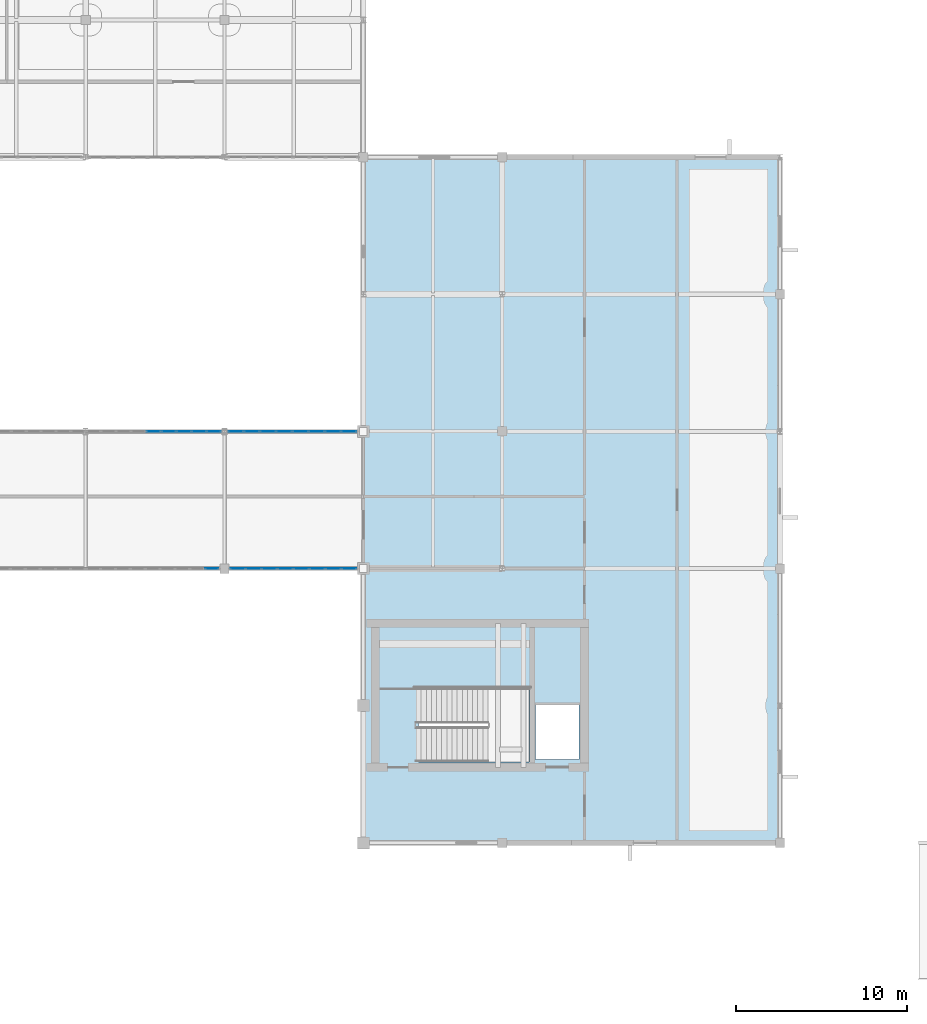
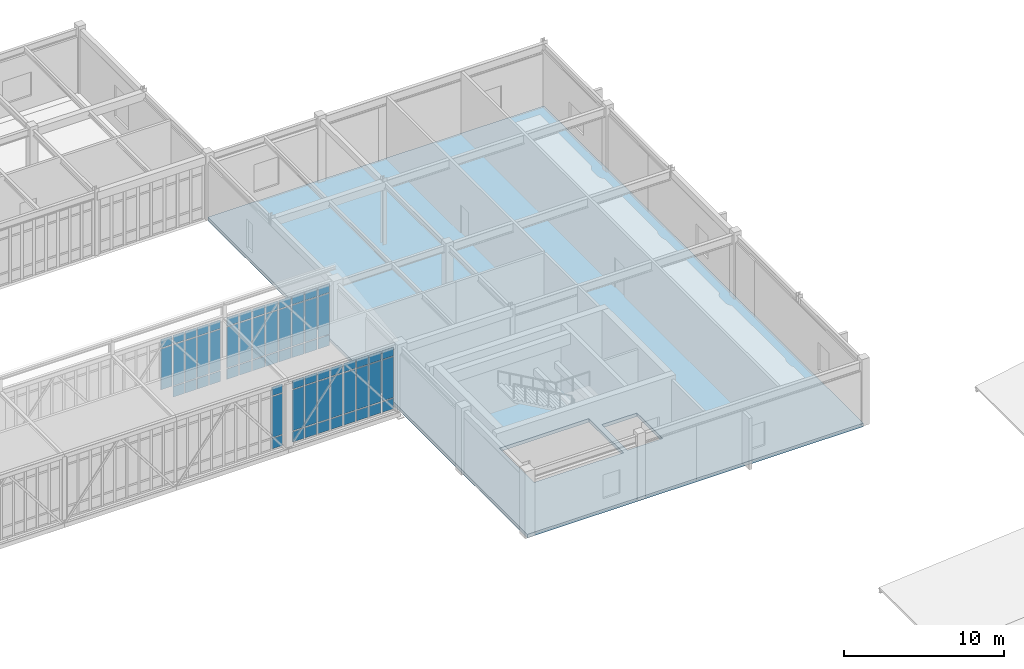
# One storey, part 78 of 107: 65 plates, 1 slab, 4 elements without a shape of their own.
"""IFC4 building model written with IfcOpenShell, lengths in metres."""

from ifc_helpers import new_model, si_unit, direction, frame, origin, origin_2d, place, context, subcontext, project, spatial, polyline, rectangle, outline, extrude, material, layer, layer_set, type_object, element, aggregate, save


model = new_model("IFC4")

# Units and contexts
model_context = context("Model", 3, precision=1e-05, world=origin(), true_north=direction((0.0, 1.0)))
body_context = subcontext(model_context, "Body", "Model", "MODEL_VIEW")
ifc_project = project(units=[si_unit("LENGTHUNIT", "METRE"), si_unit("AREAUNIT", "SQUARE_METRE"), si_unit("VOLUMEUNIT", "CUBIC_METRE"), si_unit("PLANEANGLEUNIT", "RADIAN"), si_unit("MASSUNIT", "GRAM", prefix="KILO")], contexts=[model_context])

# Site, building, storey
site_placement = place(None, origin())
site = spatial("IfcSite", under=ifc_project, at=site_placement, CompositionType="ELEMENT")
building_placement = place(site_placement, origin())
building = spatial("IfcBuilding", under=site, at=building_placement, Name="Tarnveldt Square Police Headquarters", CompositionType="ELEMENT")
storey_placement = place(building_placement, frame((0.0, 0.0, 14.699951171875)))
storey = spatial("IfcBuildingStorey", under=building, at=storey_placement, Name="L03", CompositionType="ELEMENT", Elevation=14.699951171875)

# Curtain wall, plates
ifc_material_1 = material(Name="Triple-glazed low-e laminated vision glass", Category="glass")
curtain_wall_type_1 = type_object("IfcCurtainWallType", Name="CW-SB-781x484", PredefinedType="USERDEFINED", material=ifc_material_1)
curtain_wall_1_placement = place(storey_placement, origin())
curtain_wall_1 = element("IfcCurtainWall", 1, at=curtain_wall_1_placement, inside=storey, type_object=curtain_wall_type_1, Name="L03 Curtain Wall CW-L03-157", ObjectType="GLAZED CURTAIN WALL", PredefinedType="USERDEFINED")
ifc_layer_1 = layer(ifc_material_1, 0.028076171875)
ifc_layer_set_1 = layer_set([ifc_layer_1], Name="Triple-glazed low-e laminated vision glass")
plate_type = type_object("IfcPlateType", Name="CWP-VIS-28", PredefinedType="CURTAIN_PANEL", material=ifc_layer_set_1)
plate_1_placement = place(storey_placement, frame((96.4599609375, 72.0, 0.06494140625), z_axis=(0.0, 0.0, 1.0), x_axis=(1.0, 0.0, 0.0)))
plate_1 = element("IfcPlate", 2, at=plate_1_placement, type_object=plate_type, Name="CW-SB92 panel 9.1", PredefinedType="CURTAIN_PANEL", context=body_context, shape_type="SweptSolid", body=[
    extrude(rectangle(XDim=0.770263671875, YDim=0.028076171875, at=origin_2d()), origin(), (0.0, 0.0, 1.0), 0.802490234375),
])
plate_2_placement = place(storey_placement, frame((96.4599609375, 72.0, 0.9326171875), z_axis=(0.0, 0.0, 1.0), x_axis=(1.0, 0.0, 0.0)))
plate_2 = element("IfcPlate", 3, at=plate_2_placement, type_object=plate_type, Name="CW-SB92 panel 9.2", PredefinedType="CURTAIN_PANEL", context=body_context, shape_type="SweptSolid", body=[
    extrude(rectangle(XDim=0.770263671875, YDim=0.028076171875, at=origin_2d()), origin(), (0.0, 0.0, 1.0), 3.125),
])
plate_3_placement = place(storey_placement, frame((96.4599609375, 72.0, 4.12255859375), z_axis=(0.0, 0.0, 1.0), x_axis=(1.0, 0.0, 0.0)))
plate_3 = element("IfcPlate", 4, at=plate_3_placement, type_object=plate_type, Name="CW-SB92 panel 9.3", PredefinedType="CURTAIN_PANEL", context=body_context, shape_type="SweptSolid", body=[
    extrude(rectangle(XDim=0.770263671875, YDim=0.028076171875, at=origin_2d()), origin(), (0.0, 0.0, 1.0), 0.652587890625),
])
aggregate(curtain_wall_1, [plate_1, plate_2, plate_3])

curtain_wall_type_2 = type_object("IfcCurtainWallType", Name="CW-SB-745x484", PredefinedType="USERDEFINED", material=ifc_material_1)
curtain_wall_2_placement = place(storey_placement, origin())
curtain_wall_2 = element("IfcCurtainWall", 5, at=curtain_wall_2_placement, inside=storey, type_object=curtain_wall_type_2, Name="L03 Curtain Wall CW-L03-158", ObjectType="GLAZED CURTAIN WALL", PredefinedType="USERDEFINED")
plate_4_placement = place(storey_placement, frame((97.9716796875, 72.0, 0.06494140625), z_axis=(0.0, 0.0, 1.0), x_axis=(1.0, 0.0, 0.0)))
plate_4 = element("IfcPlate", 6, at=plate_4_placement, type_object=plate_type, Name="CW-SB93 panel 1.1", PredefinedType="CURTAIN_PANEL", context=body_context, shape_type="SweptSolid", body=[
    extrude(rectangle(XDim=0.8330078125, YDim=0.028076171875, at=origin_2d()), origin(), (0.0, 0.0, 1.0), 0.802490234375),
])
plate_5_placement = place(storey_placement, frame((97.9716796875, 72.0, 0.9326171875), z_axis=(0.0, 0.0, 1.0), x_axis=(1.0, 0.0, 0.0)))
plate_5 = element("IfcPlate", 7, at=plate_5_placement, type_object=plate_type, Name="CW-SB93 panel 1.2", PredefinedType="CURTAIN_PANEL", context=body_context, shape_type="SweptSolid", body=[
    extrude(rectangle(XDim=0.8330078125, YDim=0.028076171875, at=origin_2d()), origin(), (0.0, 0.0, 1.0), 3.125),
])
plate_6_placement = place(storey_placement, frame((97.9716796875, 72.0, 4.12255859375), z_axis=(0.0, 0.0, 1.0), x_axis=(1.0, 0.0, 0.0)))
plate_6 = element("IfcPlate", 8, at=plate_6_placement, type_object=plate_type, Name="CW-SB93 panel 1.3", PredefinedType="CURTAIN_PANEL", context=body_context, shape_type="SweptSolid", body=[
    extrude(rectangle(XDim=0.8330078125, YDim=0.028076171875, at=origin_2d()), origin(), (0.0, 0.0, 1.0), 0.652587890625),
])
plate_7_placement = place(storey_placement, frame((98.885986328125, 72.0, 0.06494140625), z_axis=(0.0, 0.0, 1.0), x_axis=(1.0, 0.0, 0.0)))
plate_7 = element("IfcPlate", 9, at=plate_7_placement, type_object=plate_type, Name="CW-SB93 panel 2.1", PredefinedType="CURTAIN_PANEL", context=body_context, shape_type="SweptSolid", body=[
    extrude(rectangle(XDim=0.86572265625, YDim=0.028076171875, at=origin_2d()), origin(), (0.0, 0.0, 1.0), 0.802490234375),
])
plate_8_placement = place(storey_placement, frame((98.885986328125, 72.0, 0.9326171875), z_axis=(0.0, 0.0, 1.0), x_axis=(1.0, 0.0, 0.0)))
plate_8 = element("IfcPlate", 10, at=plate_8_placement, type_object=plate_type, Name="CW-SB93 panel 2.2", PredefinedType="CURTAIN_PANEL", context=body_context, shape_type="SweptSolid", body=[
    extrude(rectangle(XDim=0.86572265625, YDim=0.028076171875, at=origin_2d()), origin(), (0.0, 0.0, 1.0), 3.125),
])
plate_9_placement = place(storey_placement, frame((98.885986328125, 72.0, 4.12255859375), z_axis=(0.0, 0.0, 1.0), x_axis=(1.0, 0.0, 0.0)))
plate_9 = element("IfcPlate", 11, at=plate_9_placement, type_object=plate_type, Name="CW-SB93 panel 2.3", PredefinedType="CURTAIN_PANEL", context=body_context, shape_type="SweptSolid", body=[
    extrude(rectangle(XDim=0.86572265625, YDim=0.028076171875, at=origin_2d()), origin(), (0.0, 0.0, 1.0), 0.652587890625),
])
plate_10_placement = place(storey_placement, frame((99.816650390625, 72.0, 0.06494140625), z_axis=(0.0, 0.0, 1.0), x_axis=(1.0, 0.0, 0.0)))
plate_10 = element("IfcPlate", 12, at=plate_10_placement, type_object=plate_type, Name="CW-SB93 panel 3.1", PredefinedType="CURTAIN_PANEL", context=body_context, shape_type="SweptSolid", body=[
    extrude(rectangle(XDim=0.86572265625, YDim=0.028076171875, at=origin_2d()), origin(), (0.0, 0.0, 1.0), 0.802490234375),
])
plate_11_placement = place(storey_placement, frame((99.816650390625, 72.0, 0.9326171875), z_axis=(0.0, 0.0, 1.0), x_axis=(1.0, 0.0, 0.0)))
plate_11 = element("IfcPlate", 13, at=plate_11_placement, type_object=plate_type, Name="CW-SB93 panel 3.2", PredefinedType="CURTAIN_PANEL", context=body_context, shape_type="SweptSolid", body=[
    extrude(rectangle(XDim=0.86572265625, YDim=0.028076171875, at=origin_2d()), origin(), (0.0, 0.0, 1.0), 3.125),
])
plate_12_placement = place(storey_placement, frame((99.816650390625, 72.0, 4.12255859375), z_axis=(0.0, 0.0, 1.0), x_axis=(1.0, 0.0, 0.0)))
plate_12 = element("IfcPlate", 14, at=plate_12_placement, type_object=plate_type, Name="CW-SB93 panel 3.3", PredefinedType="CURTAIN_PANEL", context=body_context, shape_type="SweptSolid", body=[
    extrude(rectangle(XDim=0.86572265625, YDim=0.028076171875, at=origin_2d()), origin(), (0.0, 0.0, 1.0), 0.652587890625),
])
plate_13_placement = place(storey_placement, frame((100.7470703125, 72.0, 0.06494140625), z_axis=(0.0, 0.0, 1.0), x_axis=(1.0, 0.0, 0.0)))
plate_13 = element("IfcPlate", 15, at=plate_13_placement, type_object=plate_type, Name="CW-SB93 panel 4.1", PredefinedType="CURTAIN_PANEL", context=body_context, shape_type="SweptSolid", body=[
    extrude(rectangle(XDim=0.86572265625, YDim=0.028076171875, at=origin_2d()), origin(), (0.0, 0.0, 1.0), 0.802490234375),
])
plate_14_placement = place(storey_placement, frame((100.7470703125, 72.0, 0.9326171875), z_axis=(0.0, 0.0, 1.0), x_axis=(1.0, 0.0, 0.0)))
plate_14 = element("IfcPlate", 16, at=plate_14_placement, type_object=plate_type, Name="CW-SB93 panel 4.2", PredefinedType="CURTAIN_PANEL", context=body_context, shape_type="SweptSolid", body=[
    extrude(rectangle(XDim=0.86572265625, YDim=0.028076171875, at=origin_2d()), origin(), (0.0, 0.0, 1.0), 3.125),
])
plate_15_placement = place(storey_placement, frame((100.7470703125, 72.0, 4.12255859375), z_axis=(0.0, 0.0, 1.0), x_axis=(1.0, 0.0, 0.0)))
plate_15 = element("IfcPlate", 17, at=plate_15_placement, type_object=plate_type, Name="CW-SB93 panel 4.3", PredefinedType="CURTAIN_PANEL", context=body_context, shape_type="SweptSolid", body=[
    extrude(rectangle(XDim=0.86572265625, YDim=0.028076171875, at=origin_2d()), origin(), (0.0, 0.0, 1.0), 0.652587890625),
])
plate_16_placement = place(storey_placement, frame((101.677734375, 72.0, 0.06494140625), z_axis=(0.0, 0.0, 1.0), x_axis=(1.0, 0.0, 0.0)))
plate_16 = element("IfcPlate", 18, at=plate_16_placement, type_object=plate_type, Name="CW-SB93 panel 5.1", PredefinedType="CURTAIN_PANEL", context=body_context, shape_type="SweptSolid", body=[
    extrude(rectangle(XDim=0.86572265625, YDim=0.028076171875, at=origin_2d()), origin(), (0.0, 0.0, 1.0), 0.802490234375),
])
plate_17_placement = place(storey_placement, frame((101.677734375, 72.0, 0.9326171875), z_axis=(0.0, 0.0, 1.0), x_axis=(1.0, 0.0, 0.0)))
plate_17 = element("IfcPlate", 19, at=plate_17_placement, type_object=plate_type, Name="CW-SB93 panel 5.2", PredefinedType="CURTAIN_PANEL", context=body_context, shape_type="SweptSolid", body=[
    extrude(rectangle(XDim=0.86572265625, YDim=0.028076171875, at=origin_2d()), origin(), (0.0, 0.0, 1.0), 3.125),
])
plate_18_placement = place(storey_placement, frame((101.677734375, 72.0, 4.12255859375), z_axis=(0.0, 0.0, 1.0), x_axis=(1.0, 0.0, 0.0)))
plate_18 = element("IfcPlate", 20, at=plate_18_placement, type_object=plate_type, Name="CW-SB93 panel 5.3", PredefinedType="CURTAIN_PANEL", context=body_context, shape_type="SweptSolid", body=[
    extrude(rectangle(XDim=0.86572265625, YDim=0.028076171875, at=origin_2d()), origin(), (0.0, 0.0, 1.0), 0.652587890625),
])
plate_19_placement = place(storey_placement, frame((102.6083984375, 72.0, 0.06494140625), z_axis=(0.0, 0.0, 1.0), x_axis=(1.0, 0.0, 0.0)))
plate_19 = element("IfcPlate", 21, at=plate_19_placement, type_object=plate_type, Name="CW-SB93 panel 6.1", PredefinedType="CURTAIN_PANEL", context=body_context, shape_type="SweptSolid", body=[
    extrude(rectangle(XDim=0.86572265625, YDim=0.028076171875, at=origin_2d()), origin(), (0.0, 0.0, 1.0), 0.802490234375),
])
plate_20_placement = place(storey_placement, frame((102.6083984375, 72.0, 0.9326171875), z_axis=(0.0, 0.0, 1.0), x_axis=(1.0, 0.0, 0.0)))
plate_20 = element("IfcPlate", 22, at=plate_20_placement, type_object=plate_type, Name="CW-SB93 panel 6.2", PredefinedType="CURTAIN_PANEL", context=body_context, shape_type="SweptSolid", body=[
    extrude(rectangle(XDim=0.86572265625, YDim=0.028076171875, at=origin_2d()), origin(), (0.0, 0.0, 1.0), 3.125),
])
plate_21_placement = place(storey_placement, frame((102.6083984375, 72.0, 4.12255859375), z_axis=(0.0, 0.0, 1.0), x_axis=(1.0, 0.0, 0.0)))
plate_21 = element("IfcPlate", 23, at=plate_21_placement, type_object=plate_type, Name="CW-SB93 panel 6.3", PredefinedType="CURTAIN_PANEL", context=body_context, shape_type="SweptSolid", body=[
    extrude(rectangle(XDim=0.86572265625, YDim=0.028076171875, at=origin_2d()), origin(), (0.0, 0.0, 1.0), 0.652587890625),
])
plate_22_placement = place(storey_placement, frame((103.5390625, 72.0, 0.06494140625), z_axis=(0.0, 0.0, 1.0), x_axis=(1.0, 0.0, 0.0)))
plate_22 = element("IfcPlate", 24, at=plate_22_placement, type_object=plate_type, Name="CW-SB93 panel 7.1", PredefinedType="CURTAIN_PANEL", context=body_context, shape_type="SweptSolid", body=[
    extrude(rectangle(XDim=0.86572265625, YDim=0.028076171875, at=origin_2d()), origin(), (0.0, 0.0, 1.0), 0.802490234375),
])
plate_23_placement = place(storey_placement, frame((103.5390625, 72.0, 0.9326171875), z_axis=(0.0, 0.0, 1.0), x_axis=(1.0, 0.0, 0.0)))
plate_23 = element("IfcPlate", 25, at=plate_23_placement, type_object=plate_type, Name="CW-SB93 panel 7.2", PredefinedType="CURTAIN_PANEL", context=body_context, shape_type="SweptSolid", body=[
    extrude(rectangle(XDim=0.86572265625, YDim=0.028076171875, at=origin_2d()), origin(), (0.0, 0.0, 1.0), 3.125),
])
plate_24_placement = place(storey_placement, frame((103.5390625, 72.0, 4.12255859375), z_axis=(0.0, 0.0, 1.0), x_axis=(1.0, 0.0, 0.0)))
plate_24 = element("IfcPlate", 26, at=plate_24_placement, type_object=plate_type, Name="CW-SB93 panel 7.3", PredefinedType="CURTAIN_PANEL", context=body_context, shape_type="SweptSolid", body=[
    extrude(rectangle(XDim=0.86572265625, YDim=0.028076171875, at=origin_2d()), origin(), (0.0, 0.0, 1.0), 0.652587890625),
])
plate_25_placement = place(storey_placement, frame((104.453369140625, 72.0, 0.06494140625), z_axis=(0.0, 0.0, 1.0), x_axis=(1.0, 0.0, 0.0)))
plate_25 = element("IfcPlate", 27, at=plate_25_placement, type_object=plate_type, Name="CW-SB93 panel 8.1", PredefinedType="CURTAIN_PANEL", context=body_context, shape_type="SweptSolid", body=[
    extrude(rectangle(XDim=0.8330078125, YDim=0.028076171875, at=origin_2d()), origin(), (0.0, 0.0, 1.0), 0.802490234375),
])
plate_26_placement = place(storey_placement, frame((104.453369140625, 72.0, 0.9326171875), z_axis=(0.0, 0.0, 1.0), x_axis=(1.0, 0.0, 0.0)))
plate_26 = element("IfcPlate", 28, at=plate_26_placement, type_object=plate_type, Name="CW-SB93 panel 8.2", PredefinedType="CURTAIN_PANEL", context=body_context, shape_type="SweptSolid", body=[
    extrude(rectangle(XDim=0.8330078125, YDim=0.028076171875, at=origin_2d()), origin(), (0.0, 0.0, 1.0), 3.125),
])
plate_27_placement = place(storey_placement, frame((104.453369140625, 72.0, 4.12255859375), z_axis=(0.0, 0.0, 1.0), x_axis=(1.0, 0.0, 0.0)))
plate_27 = element("IfcPlate", 29, at=plate_27_placement, type_object=plate_type, Name="CW-SB93 panel 8.3", PredefinedType="CURTAIN_PANEL", context=body_context, shape_type="SweptSolid", body=[
    extrude(rectangle(XDim=0.8330078125, YDim=0.028076171875, at=origin_2d()), origin(), (0.0, 0.0, 1.0), 0.652587890625),
])
aggregate(curtain_wall_2, [plate_4, plate_5, plate_6, plate_7, plate_8, plate_9, plate_10, plate_11, plate_12, plate_13, plate_14, plate_15, plate_16, plate_17, plate_18, plate_19, plate_20, plate_21, plate_22, plate_23, plate_24, plate_25, plate_26, plate_27])

curtain_wall_type_3 = type_object("IfcCurtainWallType", Name="CW-SB-793x484", PredefinedType="USERDEFINED", material=ifc_material_1)
curtain_wall_3_placement = place(storey_placement, origin())
curtain_wall_3 = element("IfcCurtainWall", 30, at=curtain_wall_3_placement, inside=storey, type_object=curtain_wall_type_3, Name="L03 Curtain Wall CW-L03-164", ObjectType="GLAZED CURTAIN WALL", PredefinedType="USERDEFINED")
plate_28_placement = place(storey_placement, frame((93.0654296875, 80.0, 0.9326171875), z_axis=(0.0, 0.0, 1.0), x_axis=(1.0, 0.0, 0.0)))
plate_28 = element("IfcPlate", 31, at=plate_28_placement, type_object=plate_type, Name="CW-SB91 panel 5.2", PredefinedType="CURTAIN_PANEL", context=body_context, shape_type="SweptSolid", body=[
    extrude(rectangle(XDim=0.816162109375, YDim=0.028076171875, at=origin_2d()), origin(), (0.0, 0.0, 1.0), 3.125),
])
plate_29_placement = place(storey_placement, frame((93.0654296875, 80.0, 4.12255859375), z_axis=(0.0, 0.0, 1.0), x_axis=(1.0, 0.0, 0.0)))
plate_29 = element("IfcPlate", 32, at=plate_29_placement, type_object=plate_type, Name="CW-SB91 panel 5.3", PredefinedType="CURTAIN_PANEL", context=body_context, shape_type="SweptSolid", body=[
    extrude(rectangle(XDim=0.816162109375, YDim=0.028076171875, at=origin_2d()), origin(), (0.0, 0.0, 1.0), 0.652587890625),
])
plate_30_placement = place(storey_placement, frame((93.94677734375, 80.0, 0.06494140625), z_axis=(0.0, 0.0, 1.0), x_axis=(1.0, 0.0, 0.0)))
plate_30 = element("IfcPlate", 33, at=plate_30_placement, type_object=plate_type, Name="CW-SB91 panel 6.1", PredefinedType="CURTAIN_PANEL", context=body_context, shape_type="SweptSolid", body=[
    extrude(rectangle(XDim=0.816162109375, YDim=0.028076171875, at=origin_2d()), origin(), (0.0, 0.0, 1.0), 0.802490234375),
])
plate_31_placement = place(storey_placement, frame((93.94677734375, 80.0, 0.9326171875), z_axis=(0.0, 0.0, 1.0), x_axis=(1.0, 0.0, 0.0)))
plate_31 = element("IfcPlate", 34, at=plate_31_placement, type_object=plate_type, Name="CW-SB91 panel 6.2", PredefinedType="CURTAIN_PANEL", context=body_context, shape_type="SweptSolid", body=[
    extrude(rectangle(XDim=0.816162109375, YDim=0.028076171875, at=origin_2d()), origin(), (0.0, 0.0, 1.0), 3.125),
])
plate_32_placement = place(storey_placement, frame((93.94677734375, 80.0, 4.12255859375), z_axis=(0.0, 0.0, 1.0), x_axis=(1.0, 0.0, 0.0)))
plate_32 = element("IfcPlate", 35, at=plate_32_placement, type_object=plate_type, Name="CW-SB91 panel 6.3", PredefinedType="CURTAIN_PANEL", context=body_context, shape_type="SweptSolid", body=[
    extrude(rectangle(XDim=0.816162109375, YDim=0.028076171875, at=origin_2d()), origin(), (0.0, 0.0, 1.0), 0.652587890625),
])
plate_33_placement = place(storey_placement, frame((94.827880859375, 80.0, 0.06494140625), z_axis=(0.0, 0.0, 1.0), x_axis=(1.0, 0.0, 0.0)))
plate_33 = element("IfcPlate", 36, at=plate_33_placement, type_object=plate_type, Name="CW-SB91 panel 7.1", PredefinedType="CURTAIN_PANEL", context=body_context, shape_type="SweptSolid", body=[
    extrude(rectangle(XDim=0.816162109375, YDim=0.028076171875, at=origin_2d()), origin(), (0.0, 0.0, 1.0), 0.802490234375),
])
plate_34_placement = place(storey_placement, frame((94.827880859375, 80.0, 0.9326171875), z_axis=(0.0, 0.0, 1.0), x_axis=(1.0, 0.0, 0.0)))
plate_34 = element("IfcPlate", 37, at=plate_34_placement, type_object=plate_type, Name="CW-SB91 panel 7.2", PredefinedType="CURTAIN_PANEL", context=body_context, shape_type="SweptSolid", body=[
    extrude(rectangle(XDim=0.816162109375, YDim=0.028076171875, at=origin_2d()), origin(), (0.0, 0.0, 1.0), 3.125),
])
plate_35_placement = place(storey_placement, frame((94.827880859375, 80.0, 4.12255859375), z_axis=(0.0, 0.0, 1.0), x_axis=(1.0, 0.0, 0.0)))
plate_35 = element("IfcPlate", 38, at=plate_35_placement, type_object=plate_type, Name="CW-SB91 panel 7.3", PredefinedType="CURTAIN_PANEL", context=body_context, shape_type="SweptSolid", body=[
    extrude(rectangle(XDim=0.816162109375, YDim=0.028076171875, at=origin_2d()), origin(), (0.0, 0.0, 1.0), 0.652587890625),
])
plate_36_placement = place(storey_placement, frame((95.709228515625, 80.0, 0.06494140625), z_axis=(0.0, 0.0, 1.0), x_axis=(1.0, 0.0, 0.0)))
plate_36 = element("IfcPlate", 39, at=plate_36_placement, type_object=plate_type, Name="CW-SB91 panel 8.1", PredefinedType="CURTAIN_PANEL", context=body_context, shape_type="SweptSolid", body=[
    extrude(rectangle(XDim=0.816162109375, YDim=0.028076171875, at=origin_2d()), origin(), (0.0, 0.0, 1.0), 0.802490234375),
])
plate_37_placement = place(storey_placement, frame((95.709228515625, 80.0, 0.9326171875), z_axis=(0.0, 0.0, 1.0), x_axis=(1.0, 0.0, 0.0)))
plate_37 = element("IfcPlate", 40, at=plate_37_placement, type_object=plate_type, Name="CW-SB91 panel 8.2", PredefinedType="CURTAIN_PANEL", context=body_context, shape_type="SweptSolid", body=[
    extrude(rectangle(XDim=0.816162109375, YDim=0.028076171875, at=origin_2d()), origin(), (0.0, 0.0, 1.0), 3.125),
])
plate_38_placement = place(storey_placement, frame((95.709228515625, 80.0, 4.12255859375), z_axis=(0.0, 0.0, 1.0), x_axis=(1.0, 0.0, 0.0)))
plate_38 = element("IfcPlate", 41, at=plate_38_placement, type_object=plate_type, Name="CW-SB91 panel 8.3", PredefinedType="CURTAIN_PANEL", context=body_context, shape_type="SweptSolid", body=[
    extrude(rectangle(XDim=0.816162109375, YDim=0.028076171875, at=origin_2d()), origin(), (0.0, 0.0, 1.0), 0.652587890625),
])
plate_39_placement = place(storey_placement, frame((96.57421875, 80.0, 0.06494140625), z_axis=(0.0, 0.0, 1.0), x_axis=(1.0, 0.0, 0.0)))
plate_39 = element("IfcPlate", 42, at=plate_39_placement, type_object=plate_type, Name="CW-SB91 panel 9.1", PredefinedType="CURTAIN_PANEL", context=body_context, shape_type="SweptSolid", body=[
    extrude(rectangle(XDim=0.78369140625, YDim=0.028076171875, at=origin_2d()), origin(), (0.0, 0.0, 1.0), 0.802490234375),
])
plate_40_placement = place(storey_placement, frame((96.57421875, 80.0, 0.9326171875), z_axis=(0.0, 0.0, 1.0), x_axis=(1.0, 0.0, 0.0)))
plate_40 = element("IfcPlate", 43, at=plate_40_placement, type_object=plate_type, Name="CW-SB91 panel 9.2", PredefinedType="CURTAIN_PANEL", context=body_context, shape_type="SweptSolid", body=[
    extrude(rectangle(XDim=0.78369140625, YDim=0.028076171875, at=origin_2d()), origin(), (0.0, 0.0, 1.0), 3.125),
])
plate_41_placement = place(storey_placement, frame((96.57421875, 80.0, 4.12255859375), z_axis=(0.0, 0.0, 1.0), x_axis=(1.0, 0.0, 0.0)))
plate_41 = element("IfcPlate", 44, at=plate_41_placement, type_object=plate_type, Name="CW-SB91 panel 9.3", PredefinedType="CURTAIN_PANEL", context=body_context, shape_type="SweptSolid", body=[
    extrude(rectangle(XDim=0.78369140625, YDim=0.028076171875, at=origin_2d()), origin(), (0.0, 0.0, 1.0), 0.652587890625),
])
aggregate(curtain_wall_3, [plate_28, plate_29, plate_30, plate_31, plate_32, plate_33, plate_34, plate_35, plate_36, plate_37, plate_38, plate_39, plate_40, plate_41])

curtain_wall_type_4 = type_object("IfcCurtainWallType", Name="CW-SB-757x484", PredefinedType="USERDEFINED", material=ifc_material_1)
curtain_wall_4_placement = place(storey_placement, origin())
curtain_wall_4 = element("IfcCurtainWall", 45, at=curtain_wall_4_placement, inside=storey, type_object=curtain_wall_type_4, Name="L03 Curtain Wall CW-L03-165", ObjectType="GLAZED CURTAIN WALL", PredefinedType="USERDEFINED")
plate_42_placement = place(storey_placement, frame((97.858154296875, 80.0, 0.06494140625), z_axis=(0.0, 0.0, 1.0), x_axis=(1.0, 0.0, 0.0)))
plate_42 = element("IfcPlate", 46, at=plate_42_placement, type_object=plate_type, Name="CW-SB89 panel 1.1", PredefinedType="CURTAIN_PANEL", context=body_context, shape_type="SweptSolid", body=[
    extrude(rectangle(XDim=0.84814453125, YDim=0.028076171875, at=origin_2d()), origin(), (0.0, 0.0, 1.0), 0.802490234375),
])
plate_43_placement = place(storey_placement, frame((97.858154296875, 80.0, 0.9326171875), z_axis=(0.0, 0.0, 1.0), x_axis=(1.0, 0.0, 0.0)))
plate_43 = element("IfcPlate", 47, at=plate_43_placement, type_object=plate_type, Name="CW-SB89 panel 1.2", PredefinedType="CURTAIN_PANEL", context=body_context, shape_type="SweptSolid", body=[
    extrude(rectangle(XDim=0.84814453125, YDim=0.028076171875, at=origin_2d()), origin(), (0.0, 0.0, 1.0), 3.125),
])
plate_44_placement = place(storey_placement, frame((97.858154296875, 80.0, 4.12255859375), z_axis=(0.0, 0.0, 1.0), x_axis=(1.0, 0.0, 0.0)))
plate_44 = element("IfcPlate", 48, at=plate_44_placement, type_object=plate_type, Name="CW-SB89 panel 1.3", PredefinedType="CURTAIN_PANEL", context=body_context, shape_type="SweptSolid", body=[
    extrude(rectangle(XDim=0.84814453125, YDim=0.028076171875, at=origin_2d()), origin(), (0.0, 0.0, 1.0), 0.652587890625),
])
plate_45_placement = place(storey_placement, frame((98.78759765625, 80.0, 0.06494140625), z_axis=(0.0, 0.0, 1.0), x_axis=(1.0, 0.0, 0.0)))
plate_45 = element("IfcPlate", 49, at=plate_45_placement, type_object=plate_type, Name="CW-SB89 panel 2.1", PredefinedType="CURTAIN_PANEL", context=body_context, shape_type="SweptSolid", body=[
    extrude(rectangle(XDim=0.880859375, YDim=0.028076171875, at=origin_2d()), origin(), (0.0, 0.0, 1.0), 0.802490234375),
])
plate_46_placement = place(storey_placement, frame((98.78759765625, 80.0, 0.9326171875), z_axis=(0.0, 0.0, 1.0), x_axis=(1.0, 0.0, 0.0)))
plate_46 = element("IfcPlate", 50, at=plate_46_placement, type_object=plate_type, Name="CW-SB89 panel 2.2", PredefinedType="CURTAIN_PANEL", context=body_context, shape_type="SweptSolid", body=[
    extrude(rectangle(XDim=0.880859375, YDim=0.028076171875, at=origin_2d()), origin(), (0.0, 0.0, 1.0), 3.125),
])
plate_47_placement = place(storey_placement, frame((98.78759765625, 80.0, 4.12255859375), z_axis=(0.0, 0.0, 1.0), x_axis=(1.0, 0.0, 0.0)))
plate_47 = element("IfcPlate", 51, at=plate_47_placement, type_object=plate_type, Name="CW-SB89 panel 2.3", PredefinedType="CURTAIN_PANEL", context=body_context, shape_type="SweptSolid", body=[
    extrude(rectangle(XDim=0.880859375, YDim=0.028076171875, at=origin_2d()), origin(), (0.0, 0.0, 1.0), 0.652587890625),
])
plate_48_placement = place(storey_placement, frame((99.7333984375, 80.0, 0.06494140625), z_axis=(0.0, 0.0, 1.0), x_axis=(1.0, 0.0, 0.0)))
plate_48 = element("IfcPlate", 52, at=plate_48_placement, type_object=plate_type, Name="CW-SB89 panel 3.1", PredefinedType="CURTAIN_PANEL", context=body_context, shape_type="SweptSolid", body=[
    extrude(rectangle(XDim=0.880859375, YDim=0.028076171875, at=origin_2d()), origin(), (0.0, 0.0, 1.0), 0.802490234375),
])
plate_49_placement = place(storey_placement, frame((99.7333984375, 80.0, 0.9326171875), z_axis=(0.0, 0.0, 1.0), x_axis=(1.0, 0.0, 0.0)))
plate_49 = element("IfcPlate", 53, at=plate_49_placement, type_object=plate_type, Name="CW-SB89 panel 3.2", PredefinedType="CURTAIN_PANEL", context=body_context, shape_type="SweptSolid", body=[
    extrude(rectangle(XDim=0.880859375, YDim=0.028076171875, at=origin_2d()), origin(), (0.0, 0.0, 1.0), 3.125),
])
plate_50_placement = place(storey_placement, frame((99.7333984375, 80.0, 4.12255859375), z_axis=(0.0, 0.0, 1.0), x_axis=(1.0, 0.0, 0.0)))
plate_50 = element("IfcPlate", 54, at=plate_50_placement, type_object=plate_type, Name="CW-SB89 panel 3.3", PredefinedType="CURTAIN_PANEL", context=body_context, shape_type="SweptSolid", body=[
    extrude(rectangle(XDim=0.880859375, YDim=0.028076171875, at=origin_2d()), origin(), (0.0, 0.0, 1.0), 0.652587890625),
])
plate_51_placement = place(storey_placement, frame((100.67919921875, 80.0, 0.06494140625), z_axis=(0.0, 0.0, 1.0), x_axis=(1.0, 0.0, 0.0)))
plate_51 = element("IfcPlate", 55, at=plate_51_placement, type_object=plate_type, Name="CW-SB89 panel 4.1", PredefinedType="CURTAIN_PANEL", context=body_context, shape_type="SweptSolid", body=[
    extrude(rectangle(XDim=0.880859375, YDim=0.028076171875, at=origin_2d()), origin(), (0.0, 0.0, 1.0), 0.802490234375),
])
plate_52_placement = place(storey_placement, frame((100.67919921875, 80.0, 0.9326171875), z_axis=(0.0, 0.0, 1.0), x_axis=(1.0, 0.0, 0.0)))
plate_52 = element("IfcPlate", 56, at=plate_52_placement, type_object=plate_type, Name="CW-SB89 panel 4.2", PredefinedType="CURTAIN_PANEL", context=body_context, shape_type="SweptSolid", body=[
    extrude(rectangle(XDim=0.880859375, YDim=0.028076171875, at=origin_2d()), origin(), (0.0, 0.0, 1.0), 3.125),
])
plate_53_placement = place(storey_placement, frame((100.67919921875, 80.0, 4.12255859375), z_axis=(0.0, 0.0, 1.0), x_axis=(1.0, 0.0, 0.0)))
plate_53 = element("IfcPlate", 57, at=plate_53_placement, type_object=plate_type, Name="CW-SB89 panel 4.3", PredefinedType="CURTAIN_PANEL", context=body_context, shape_type="SweptSolid", body=[
    extrude(rectangle(XDim=0.880859375, YDim=0.028076171875, at=origin_2d()), origin(), (0.0, 0.0, 1.0), 0.652587890625),
])
plate_54_placement = place(storey_placement, frame((101.624755859375, 80.0, 0.06494140625), z_axis=(0.0, 0.0, 1.0), x_axis=(1.0, 0.0, 0.0)))
plate_54 = element("IfcPlate", 58, at=plate_54_placement, type_object=plate_type, Name="CW-SB89 panel 5.1", PredefinedType="CURTAIN_PANEL", context=body_context, shape_type="SweptSolid", body=[
    extrude(rectangle(XDim=0.880859375, YDim=0.028076171875, at=origin_2d()), origin(), (0.0, 0.0, 1.0), 0.802490234375),
])
plate_55_placement = place(storey_placement, frame((101.624755859375, 80.0, 0.9326171875), z_axis=(0.0, 0.0, 1.0), x_axis=(1.0, 0.0, 0.0)))
plate_55 = element("IfcPlate", 59, at=plate_55_placement, type_object=plate_type, Name="CW-SB89 panel 5.2", PredefinedType="CURTAIN_PANEL", context=body_context, shape_type="SweptSolid", body=[
    extrude(rectangle(XDim=0.880859375, YDim=0.028076171875, at=origin_2d()), origin(), (0.0, 0.0, 1.0), 3.125),
])
plate_56_placement = place(storey_placement, frame((101.624755859375, 80.0, 4.12255859375), z_axis=(0.0, 0.0, 1.0), x_axis=(1.0, 0.0, 0.0)))
plate_56 = element("IfcPlate", 60, at=plate_56_placement, type_object=plate_type, Name="CW-SB89 panel 5.3", PredefinedType="CURTAIN_PANEL", context=body_context, shape_type="SweptSolid", body=[
    extrude(rectangle(XDim=0.880859375, YDim=0.028076171875, at=origin_2d()), origin(), (0.0, 0.0, 1.0), 0.652587890625),
])
plate_57_placement = place(storey_placement, frame((102.570556640625, 80.0, 0.06494140625), z_axis=(0.0, 0.0, 1.0), x_axis=(1.0, 0.0, 0.0)))
plate_57 = element("IfcPlate", 61, at=plate_57_placement, type_object=plate_type, Name="CW-SB89 panel 6.1", PredefinedType="CURTAIN_PANEL", context=body_context, shape_type="SweptSolid", body=[
    extrude(rectangle(XDim=0.880859375, YDim=0.028076171875, at=origin_2d()), origin(), (0.0, 0.0, 1.0), 0.802490234375),
])
plate_58_placement = place(storey_placement, frame((102.570556640625, 80.0, 0.9326171875), z_axis=(0.0, 0.0, 1.0), x_axis=(1.0, 0.0, 0.0)))
plate_58 = element("IfcPlate", 62, at=plate_58_placement, type_object=plate_type, Name="CW-SB89 panel 6.2", PredefinedType="CURTAIN_PANEL", context=body_context, shape_type="SweptSolid", body=[
    extrude(rectangle(XDim=0.880859375, YDim=0.028076171875, at=origin_2d()), origin(), (0.0, 0.0, 1.0), 3.125),
])
plate_59_placement = place(storey_placement, frame((102.570556640625, 80.0, 4.12255859375), z_axis=(0.0, 0.0, 1.0), x_axis=(1.0, 0.0, 0.0)))
plate_59 = element("IfcPlate", 63, at=plate_59_placement, type_object=plate_type, Name="CW-SB89 panel 6.3", PredefinedType="CURTAIN_PANEL", context=body_context, shape_type="SweptSolid", body=[
    extrude(rectangle(XDim=0.880859375, YDim=0.028076171875, at=origin_2d()), origin(), (0.0, 0.0, 1.0), 0.652587890625),
])
plate_60_placement = place(storey_placement, frame((103.516357421875, 80.0, 0.06494140625), z_axis=(0.0, 0.0, 1.0), x_axis=(1.0, 0.0, 0.0)))
plate_60 = element("IfcPlate", 64, at=plate_60_placement, type_object=plate_type, Name="CW-SB89 panel 7.1", PredefinedType="CURTAIN_PANEL", context=body_context, shape_type="SweptSolid", body=[
    extrude(rectangle(XDim=0.880859375, YDim=0.028076171875, at=origin_2d()), origin(), (0.0, 0.0, 1.0), 0.802490234375),
])
plate_61_placement = place(storey_placement, frame((103.516357421875, 80.0, 0.9326171875), z_axis=(0.0, 0.0, 1.0), x_axis=(1.0, 0.0, 0.0)))
plate_61 = element("IfcPlate", 65, at=plate_61_placement, type_object=plate_type, Name="CW-SB89 panel 7.2", PredefinedType="CURTAIN_PANEL", context=body_context, shape_type="SweptSolid", body=[
    extrude(rectangle(XDim=0.880859375, YDim=0.028076171875, at=origin_2d()), origin(), (0.0, 0.0, 1.0), 3.125),
])
plate_62_placement = place(storey_placement, frame((103.516357421875, 80.0, 4.12255859375), z_axis=(0.0, 0.0, 1.0), x_axis=(1.0, 0.0, 0.0)))
plate_62 = element("IfcPlate", 66, at=plate_62_placement, type_object=plate_type, Name="CW-SB89 panel 7.3", PredefinedType="CURTAIN_PANEL", context=body_context, shape_type="SweptSolid", body=[
    extrude(rectangle(XDim=0.880859375, YDim=0.028076171875, at=origin_2d()), origin(), (0.0, 0.0, 1.0), 0.652587890625),
])
plate_63_placement = place(storey_placement, frame((104.44580078125, 80.0, 0.06494140625), z_axis=(0.0, 0.0, 1.0), x_axis=(1.0, 0.0, 0.0)))
plate_63 = element("IfcPlate", 67, at=plate_63_placement, type_object=plate_type, Name="CW-SB89 panel 8.1", PredefinedType="CURTAIN_PANEL", context=body_context, shape_type="SweptSolid", body=[
    extrude(rectangle(XDim=0.84814453125, YDim=0.028076171875, at=origin_2d()), origin(), (0.0, 0.0, 1.0), 0.802490234375),
])
plate_64_placement = place(storey_placement, frame((104.44580078125, 80.0, 0.9326171875), z_axis=(0.0, 0.0, 1.0), x_axis=(1.0, 0.0, 0.0)))
plate_64 = element("IfcPlate", 68, at=plate_64_placement, type_object=plate_type, Name="CW-SB89 panel 8.2", PredefinedType="CURTAIN_PANEL", context=body_context, shape_type="SweptSolid", body=[
    extrude(rectangle(XDim=0.84814453125, YDim=0.028076171875, at=origin_2d()), origin(), (0.0, 0.0, 1.0), 3.125),
])
plate_65_placement = place(storey_placement, frame((104.44580078125, 80.0, 4.12255859375), z_axis=(0.0, 0.0, 1.0), x_axis=(1.0, 0.0, 0.0)))
plate_65 = element("IfcPlate", 69, at=plate_65_placement, type_object=plate_type, Name="CW-SB89 panel 8.3", PredefinedType="CURTAIN_PANEL", context=body_context, shape_type="SweptSolid", body=[
    extrude(rectangle(XDim=0.84814453125, YDim=0.028076171875, at=origin_2d()), origin(), (0.0, 0.0, 1.0), 0.652587890625),
])
aggregate(curtain_wall_4, [plate_42, plate_43, plate_44, plate_45, plate_46, plate_47, plate_48, plate_49, plate_50, plate_51, plate_52, plate_53, plate_54, plate_55, plate_56, plate_57, plate_58, plate_59, plate_60, plate_61, plate_62, plate_63, plate_64, plate_65])

# Slab
ifc_material_2 = material(Name="Concrete 40 MPa", Category="concrete")
ifc_layer_2 = layer(ifc_material_2, 0.260009765625)
ifc_layer_set_2 = layer_set([ifc_layer_2], Name="Concrete 40 MPa")
slab_type = type_object("IfcSlabType", Name="SL-MID-260", PredefinedType="FLOOR", material=ifc_layer_set_2)
slab_placement = place(storey_placement, frame((0.0, 0.0, -0.260009765625)))
element("IfcSlab", 70, at=slab_placement, inside=storey, type_object=slab_type, Name="L03 Structural Floor Slab L03-V7-1", PredefinedType="FLOOR", context=body_context, shape_type="SweptSolid", body=[
    extrude(outline(polyline([(129.60009765625, 96.0), (129.60009765625, 56.0), (105.300048828125, 56.0), (105.300048828125, 96.0), (129.60009765625, 96.0)]), holes=[polyline([(115.330078125, 64.050048828125), (115.330078125, 60.85009765625), (117.8798828125, 60.85009765625), (117.8798828125, 64.050048828125), (115.330078125, 64.050048828125)]), polyline([(108.510009765625, 65.02001953125), (108.510009765625, 60.719970703125), (114.969970703125, 60.719970703125), (114.969970703125, 65.02001953125), (108.510009765625, 65.02001953125)])]), origin(), (0.0, 0.0, 1.0), 0.260009765625),
])

save(model, "model.ifc")
